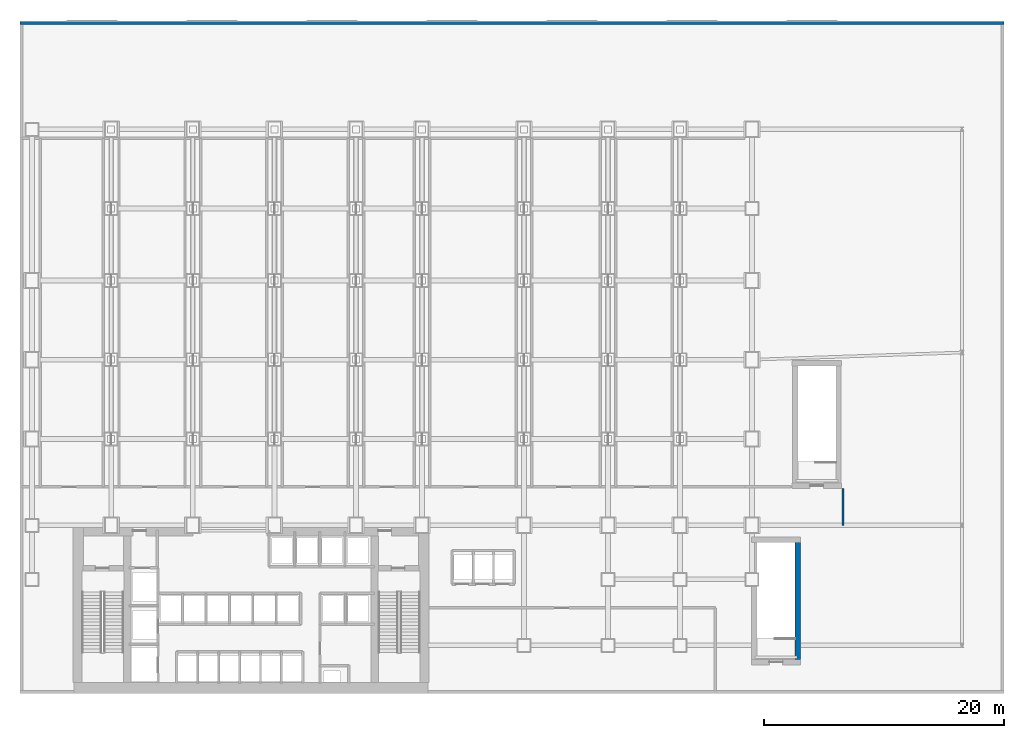
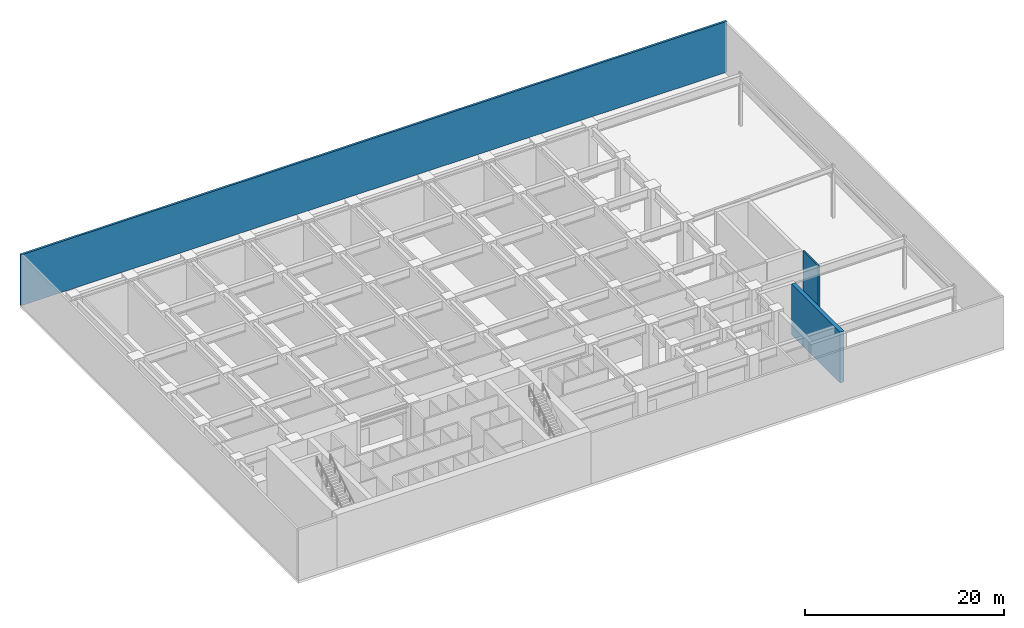
# One storey, part 12 of 15: 3 walls.
"""IFC4 building model written with IfcOpenShell, lengths in metres."""

from ifc_helpers import new_model, si_unit, derived_unit, direction, frame, frame_2d, origin, place, context, subcontext, project, spatial, rectangle, extrude, source, transform, mapped, material, layer, layer_set, type_object, element, save


model = new_model("IFC4")

# Units and contexts
model_context = context("Model", 3, precision=1e-05, world=origin(), true_north=direction((0.0, 1.0)))
body_context = subcontext(model_context, "Body", "Model", "MODEL_VIEW")
ifc_project = project(units=[si_unit("LENGTHUNIT", "METRE"), si_unit("AREAUNIT", "SQUARE_METRE"), si_unit("VOLUMEUNIT", "CUBIC_METRE"), si_unit("PLANEANGLEUNIT", "RADIAN"), si_unit("MASSUNIT", "GRAM", prefix="KILO"), derived_unit("THERMALTRANSMITTANCEUNIT", [(si_unit("POWERUNIT", "WATT"), 1), (si_unit("LENGTHUNIT", "METRE"), -2), (si_unit("THERMODYNAMICTEMPERATUREUNIT", "KELVIN"), -1)])], contexts=[model_context])

# Site, building, storey
site_placement = place(None, origin())
site = spatial("IfcSite", under=ifc_project, at=site_placement, CompositionType="ELEMENT")
building_placement = place(site_placement, origin())
building = spatial("IfcBuilding", under=site, at=building_placement, Name="Skarnbrae Concourse Arena and Tower", CompositionType="ELEMENT")
storey_placement = place(building_placement, frame((0.0, 0.0, 26.0)))
storey = spatial("IfcBuildingStorey", under=building, at=storey_placement, Name="L05", CompositionType="ELEMENT", Elevation=26.0)

# Walls
ifc_material_1 = material(Name="Precast concrete 40 MPa (C40/50)", Category="concrete")
ifc_layer_1 = layer(ifc_material_1, 0.25)
ifc_layer_set_1 = layer_set([ifc_layer_1], Name="Precast concrete 40 MPa (C40/50)")
wall_type_1 = type_object("IfcWallType", Name="WALL-EXT-SPANDREL-250", PredefinedType="STANDARD", material=ifc_layer_set_1)
shared_shape_1 = source(origin(), body_context, "Body", "SweptSolid", [
    extrude(rectangle(XDim=82.0, YDim=0.25, at=frame_2d((41.0, 0.0))), origin(), (0.0, 0.0, 1.0), 6.25),
])
wall_1_placement = place(storey_placement, frame((82.0, 55.875, 0.0), z_axis=(0.0, 0.0, 1.0), x_axis=(-1.0, 0.0, 0.0)))
element("IfcWall", 1, at=wall_1_placement, inside=storey, type_object=wall_type_1, Name="L05 Podium exterior precast wall N", PredefinedType="STANDARD", context=body_context, shape_type="MappedRepresentation", body=[
    mapped(shared_shape_1, transform((0.0, 0.0, 0.0))),
])
ifc_material_2 = material(Name="Concrete 50 MPa (C50/60)", Category="concrete")
ifc_layer_2 = layer(ifc_material_2, 0.449951171875)
ifc_layer_set_2 = layer_set([ifc_layer_2], Name="Concrete 50 MPa (C50/60)")
wall_type_2 = type_object("IfcWallType", Name="WALL-CORE-450-C50", PredefinedType="SHEAR", material=ifc_layer_set_2)
shared_shape_2 = source(origin(), body_context, "Body", "SweptSolid", [
    extrude(rectangle(XDim=9.800048828125, YDim=0.449951171875, at=frame_2d((4.89990234375, 0.0))), origin(), (0.0, 0.0, 1.0), 6.25),
])
wall_2_placement = place(storey_placement, frame((64.804931640625, 2.800048828125, 0.0), z_axis=(0.0, 0.0, 1.0), x_axis=(0.0, 1.0, 0.0)))
element("IfcWall", 2, at=wall_2_placement, inside=storey, type_object=wall_type_2, Name="L05 Protected stair shaft wall ST-A1-E", PredefinedType="SHEAR", context=body_context, shape_type="MappedRepresentation", body=[
    mapped(shared_shape_2, transform((0.0, 0.0, 0.0))),
])
ifc_material_3 = material(Name="Gypsum board on cold-formed steel studs", Category="steel")
ifc_layer_3 = layer(ifc_material_3, 0.199951171875)
ifc_layer_set_3 = layer_set([ifc_layer_3], Name="Gypsum board on cold-formed steel studs")
wall_type_3 = type_object("IfcWallType", Name="WALL-PART-200-2HR", PredefinedType="PARTITIONING", material=ifc_layer_set_3)
shared_shape_3 = source(origin(), body_context, "Body", "SweptSolid", [
    extrude(rectangle(XDim=3.050048828125, YDim=0.199951171875, at=frame_2d((1.52490234375, 0.0))), origin(), (0.0, 0.0, 1.0), 6.25),
])
wall_3_placement = place(storey_placement, frame((68.580078125, 14.0, 0.0), z_axis=(0.0, 0.0, 1.0), x_axis=(0.0, 1.0, 0.0)))
element("IfcWall", 3, at=wall_3_placement, inside=storey, type_object=wall_type_3, Name="L05 Interior partition wall W-L05-CE-E", PredefinedType="PARTITIONING", context=body_context, shape_type="MappedRepresentation", body=[
    mapped(shared_shape_3, transform((0.0, 0.0, 0.0))),
])

save(model, "model.ifc")
